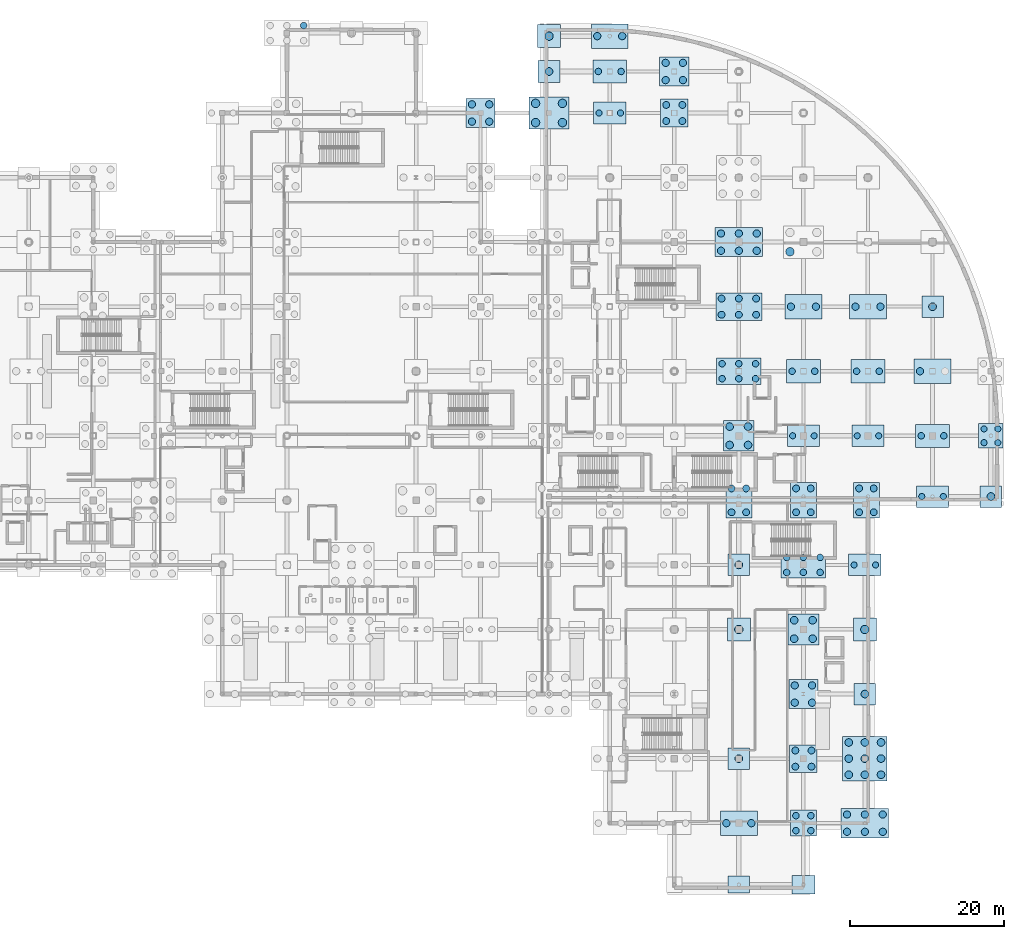
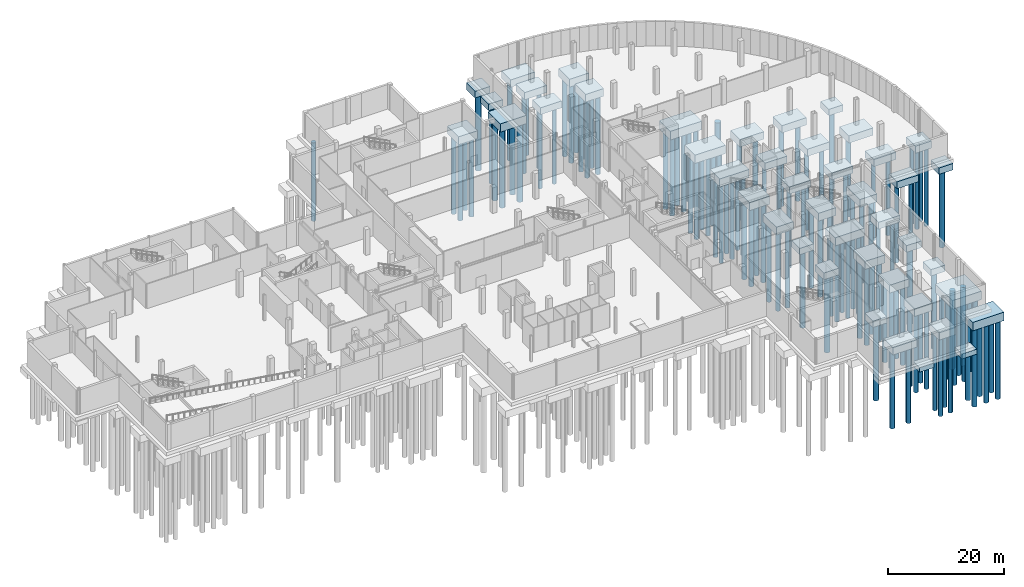
# One storey, part 4 of 49: 129 piles, 44 footings.
"""IFC4 building model written with IfcOpenShell, lengths in metres."""

from ifc_helpers import new_model, si_unit, direction, frame, origin, origin_2d, place, context, subcontext, project, spatial, rectangle, circle, extrude, material, material_profile, profile_set, type_object, element, save


model = new_model("IFC4")

# Units and contexts
model_context = context("Model", 3, precision=1e-05, world=origin(), true_north=direction((0.0, 1.0)))
body_context = subcontext(model_context, "Body", "Model", "MODEL_VIEW")
ifc_project = project(units=[si_unit("LENGTHUNIT", "METRE"), si_unit("AREAUNIT", "SQUARE_METRE"), si_unit("VOLUMEUNIT", "CUBIC_METRE"), si_unit("PLANEANGLEUNIT", "RADIAN"), si_unit("MASSUNIT", "GRAM", prefix="KILO"), si_unit("THERMODYNAMICTEMPERATUREUNIT", "KELVIN")], contexts=[model_context])

# Site, building, storey
site_placement = place(None, origin())
site = spatial("IfcSite", under=ifc_project, at=site_placement, CompositionType="ELEMENT")
building_placement = place(site_placement, origin())
building = spatial("IfcBuilding", under=site, at=building_placement, Name="Lustrewick Department Store", CompositionType="ELEMENT")
storey_placement = place(building_placement, frame((0.0, 0.0, -5.39990234375)))
storey = spatial("IfcBuildingStorey", under=building, at=storey_placement, Name="B1", CompositionType="ELEMENT", Elevation=-5.39990234375)

# Piles
ifc_material = material(Name="Concrete C40", Category="concrete")
ifc_material_profile_1 = material_profile(ifc_material, circle(Radius=0.39990234375, at=origin_2d()), Name="PILE D800")
ifc_profile_set_1 = profile_set([ifc_material_profile_1], Name="Concrete C40")
pile_type_1 = type_object("IfcPileType", Name="P01", PredefinedType="BORED", material=ifc_profile_set_1)
for number, where, z_axis, x_axis, name in (
    (1, (149.39990234375, 42.0, -2.050048828125), (0.0, 0.0, -1.0), (1.0, 0.0, 0.0), "Bored Pile P01 0370"),
    (2, (152.199951171875, 42.0, -2.050048828125), (0.0, 0.0, -1.0), (1.0, 0.0, 0.0), "Bored Pile P01 0371"),
    (3, (116.199951171875, 100.800048828125, -2.050048828125), (0.0, 0.0, -1.0), (1.0, 0.0, 0.0), "Bored Pile P01 0392"),
    (4, (119.0, 100.800048828125, -2.050048828125), (0.0, 0.0, -1.0), (1.0, 0.0, 0.0), "Bored Pile P01 0393"),
    (5, (141.39990234375, 58.800048828125, -2.050048828125), (0.0, 0.0, -1.0), (1.0, 0.0, 0.0), "Bored Pile P01 0450"),
    (6, (144.199951171875, 58.800048828125, -2.050048828125), (0.0, 0.0, -1.0), (1.0, 0.0, 0.0), "Bored Pile P01 0451"),
    (7, (149.800048828125, 58.800048828125, -2.050048828125), (0.0, 0.0, -1.0), (1.0, 0.0, 0.0), "Bored Pile P01 0462"),
    (8, (152.60009765625, 58.800048828125, -2.050048828125), (0.0, 0.0, -1.0), (1.0, 0.0, 0.0), "Bored Pile P01 0463"),
    (9, (158.199951171875, 50.89990234375, -2.050048828125), (0.0, 0.0, -1.0), (1.0, 0.0, 0.0), "Bored Pile P01 0470"),
    (10, (161.0, 50.89990234375, -2.050048828125), (0.0, 0.0, -1.0), (1.0, 0.0, 0.0), "Bored Pile P01 0471"),
    (11, (166.300048828125, 57.89990234375, -2.10009765625), (0.0, 0.0, -1.0), (1.0, 0.0, 0.0), "Bored Pile P01 0479"),
    (12, (166.300048828125, 59.699951171875, -2.10009765625), (0.0, 0.0, -1.0), (1.0, 0.0, 0.0), "Bored Pile P01 0480"),
    (13, (168.10009765625, 57.89990234375, -2.10009765625), (0.0, 0.0, -1.0), (1.0, 0.0, 0.0), "Bored Pile P01 0481"),
    (14, (168.10009765625, 59.699951171875, -2.10009765625), (0.0, 0.0, -1.0), (1.0, 0.0, 0.0), "Bored Pile P01 0482"),
):
    element("IfcPile", number, at=place(storey_placement, frame(where, z_axis=z_axis, x_axis=x_axis)), inside=storey, type_object=pile_type_1, Name=name, PredefinedType="BORED", context=body_context, shape_type="SweptSolid", body=[
        extrude(circle(Radius=0.39990234375, at=origin_2d()), origin(), (0.0, 0.0, 1.0), 16.5),
    ])
ifc_material_profile_2 = material_profile(ifc_material, circle(Radius=0.425048828125, at=origin_2d()), Name="PILE D850")
ifc_profile_set_2 = profile_set([ifc_material_profile_2], Name="Concrete C40")
pile_type_2 = type_object("IfcPileType", Name="P02", PredefinedType="BORED", material=ifc_profile_set_2)
for number, where, z_axis, x_axis, name in (
    (15, (77.77490234375, 112.175048828125, -2.300048828125), (0.0, 0.0, -1.0), (1.0, 0.0, 0.0), "Bored Pile P02 0192"),
    (16, (141.824951171875, 7.425048828125, -2.150146484375), (0.0, 0.0, -1.0), (1.0, 0.0, 0.0), "Bored Pile P02 0327"),
    (17, (141.824951171875, 9.375, -2.150146484375), (0.0, 0.0, -1.0), (1.0, 0.0, 0.0), "Bored Pile P02 0328"),
    (18, (143.77490234375, 7.425048828125, -2.150146484375), (0.0, 0.0, -1.0), (1.0, 0.0, 0.0), "Bored Pile P02 0329"),
    (19, (143.77490234375, 9.375, -2.150146484375), (0.0, 0.0, -1.0), (1.0, 0.0, 0.0), "Bored Pile P02 0330"),
    (20, (140.625, 41.02490234375, -2.300048828125), (0.0, 0.0, -1.0), (1.0, 0.0, 0.0), "Bored Pile P02 0343"),
    (21, (140.625, 42.97509765625, -2.300048828125), (0.0, 0.0, -1.0), (1.0, 0.0, 0.0), "Bored Pile P02 0344"),
    (22, (142.800048828125, 41.02490234375, -2.300048828125), (0.0, 0.0, -1.0), (1.0, 0.0, 0.0), "Bored Pile P02 0345"),
    (23, (142.800048828125, 42.97509765625, -2.300048828125), (0.0, 0.0, -1.0), (1.0, 0.0, 0.0), "Bored Pile P02 0346"),
    (24, (144.97509765625, 41.02490234375, -2.300048828125), (0.0, 0.0, -1.0), (1.0, 0.0, 0.0), "Bored Pile P02 0347"),
    (25, (144.97509765625, 42.97509765625, -2.300048828125), (0.0, 0.0, -1.0), (1.0, 0.0, 0.0), "Bored Pile P02 0348"),
    (26, (116.125, 106.199951171875, -2.10009765625), (0.0, 0.0, -1.0), (1.0, 0.0, 0.0), "Bored Pile P02 0394"),
    (27, (119.074951171875, 106.199951171875, -2.10009765625), (0.0, 0.0, -1.0), (1.0, 0.0, 0.0), "Bored Pile P02 0395"),
    (28, (132.22509765625, 66.22509765625, -2.300048828125), (0.0, 0.0, -1.0), (1.0, 0.0, 0.0), "Bored Pile P02 0421"),
    (29, (132.22509765625, 68.175048828125, -2.300048828125), (0.0, 0.0, -1.0), (1.0, 0.0, 0.0), "Bored Pile P02 0422"),
    (30, (134.39990234375, 66.22509765625, -2.300048828125), (0.0, 0.0, -1.0), (1.0, 0.0, 0.0), "Bored Pile P02 0423"),
    (31, (134.39990234375, 68.175048828125, -2.300048828125), (0.0, 0.0, -1.0), (1.0, 0.0, 0.0), "Bored Pile P02 0424"),
    (32, (136.574951171875, 66.22509765625, -2.300048828125), (0.0, 0.0, -1.0), (1.0, 0.0, 0.0), "Bored Pile P02 0425"),
    (33, (136.574951171875, 68.175048828125, -2.300048828125), (0.0, 0.0, -1.0), (1.0, 0.0, 0.0), "Bored Pile P02 0426"),
    (34, (141.324951171875, 67.199951171875, -2.10009765625), (0.0, 0.0, -1.0), (1.0, 0.0, 0.0), "Bored Pile P02 0452"),
    (35, (144.27490234375, 67.199951171875, -2.10009765625), (0.0, 0.0, -1.0), (1.0, 0.0, 0.0), "Bored Pile P02 0453"),
    (36, (149.72509765625, 67.199951171875, -2.10009765625), (0.0, 0.0, -1.0), (1.0, 0.0, 0.0), "Bored Pile P02 0464"),
    (37, (152.675048828125, 67.199951171875, -2.10009765625), (0.0, 0.0, -1.0), (1.0, 0.0, 0.0), "Bored Pile P02 0465"),
    (38, (158.125, 58.800048828125, -2.10009765625), (0.0, 0.0, -1.0), (1.0, 0.0, 0.0), "Bored Pile P02 0472"),
    (39, (161.074951171875, 58.800048828125, -2.10009765625), (0.0, 0.0, -1.0), (1.0, 0.0, 0.0), "Bored Pile P02 0473"),
):
    element("IfcPile", number, at=place(storey_placement, frame(where, z_axis=z_axis, x_axis=x_axis)), inside=storey, type_object=pile_type_2, Name=name, PredefinedType="BORED", context=body_context, shape_type="SweptSolid", body=[
        extrude(circle(Radius=0.425048828125, at=origin_2d()), origin(), (0.0, 0.0, 1.0), 16.5),
    ])
ifc_material_profile_3 = material_profile(ifc_material, circle(Radius=0.449951171875, at=origin_2d()), Name="PILE D900")
ifc_profile_set_3 = profile_set([ifc_material_profile_3], Name="Concrete C40")
pile_type_3 = type_object("IfcPileType", Name="P03", PredefinedType="BORED", material=ifc_profile_set_3)
for number, where, z_axis, x_axis, name in (
    (40, (133.449951171875, 48.85009765625, -2.25), (0.0, 0.0, -1.0), (1.0, 0.0, 0.0), "Bored Pile P03 0323"),
    (41, (133.449951171875, 51.949951171875, -2.25), (0.0, 0.0, -1.0), (1.0, 0.0, 0.0), "Bored Pile P03 0324"),
    (42, (135.35009765625, 48.85009765625, -2.25), (0.0, 0.0, -1.0), (1.0, 0.0, 0.0), "Bored Pile P03 0325"),
    (43, (135.35009765625, 51.949951171875, -2.25), (0.0, 0.0, -1.0), (1.0, 0.0, 0.0), "Bored Pile P03 0326"),
    (44, (141.75, 15.75, -2.2001953125), (0.0, 0.0, -1.0), (1.0, 0.0, 0.0), "Bored Pile P03 0331"),
    (45, (141.75, 17.85009765625, -2.2001953125), (0.0, 0.0, -1.0), (1.0, 0.0, 0.0), "Bored Pile P03 0332"),
    (46, (143.85009765625, 15.75, -2.2001953125), (0.0, 0.0, -1.0), (1.0, 0.0, 0.0), "Bored Pile P03 0333"),
    (47, (143.85009765625, 17.85009765625, -2.2001953125), (0.0, 0.0, -1.0), (1.0, 0.0, 0.0), "Bored Pile P03 0334"),
    (48, (141.85009765625, 48.85009765625, -2.25), (0.0, 0.0, -1.0), (1.0, 0.0, 0.0), "Bored Pile P03 0349"),
    (49, (141.85009765625, 51.949951171875, -2.25), (0.0, 0.0, -1.0), (1.0, 0.0, 0.0), "Bored Pile P03 0350"),
    (50, (143.75, 48.85009765625, -2.25), (0.0, 0.0, -1.0), (1.0, 0.0, 0.0), "Bored Pile P03 0351"),
    (51, (143.75, 51.949951171875, -2.25), (0.0, 0.0, -1.0), (1.0, 0.0, 0.0), "Bored Pile P03 0352"),
    (52, (150.050048828125, 48.85009765625, -2.25), (0.0, 0.0, -1.0), (1.0, 0.0, 0.0), "Bored Pile P03 0372"),
    (53, (150.050048828125, 51.949951171875, -2.25), (0.0, 0.0, -1.0), (1.0, 0.0, 0.0), "Bored Pile P03 0373"),
    (54, (151.949951171875, 48.85009765625, -2.25), (0.0, 0.0, -1.0), (1.0, 0.0, 0.0), "Bored Pile P03 0374"),
    (55, (151.949951171875, 51.949951171875, -2.25), (0.0, 0.0, -1.0), (1.0, 0.0, 0.0), "Bored Pile P03 0375"),
    (56, (124.949951171875, 99.75, -2.2001953125), (0.0, 0.0, -1.0), (1.0, 0.0, 0.0), "Bored Pile P03 0409"),
    (57, (124.949951171875, 101.85009765625, -2.2001953125), (0.0, 0.0, -1.0), (1.0, 0.0, 0.0), "Bored Pile P03 0410"),
    (58, (127.050048828125, 99.75, -2.2001953125), (0.0, 0.0, -1.0), (1.0, 0.0, 0.0), "Bored Pile P03 0411"),
    (59, (127.050048828125, 101.85009765625, -2.2001953125), (0.0, 0.0, -1.0), (1.0, 0.0, 0.0), "Bored Pile P03 0412"),
    (60, (132.14990234375, 74.550048828125, -2.35009765625), (0.0, 0.0, -1.0), (1.0, 0.0, 0.0), "Bored Pile P03 0427"),
    (61, (132.14990234375, 76.64990234375, -2.35009765625), (0.0, 0.0, -1.0), (1.0, 0.0, 0.0), "Bored Pile P03 0428"),
    (62, (134.39990234375, 74.550048828125, -2.35009765625), (0.0, 0.0, -1.0), (1.0, 0.0, 0.0), "Bored Pile P03 0429"),
    (63, (134.39990234375, 76.64990234375, -2.35009765625), (0.0, 0.0, -1.0), (1.0, 0.0, 0.0), "Bored Pile P03 0430"),
    (64, (136.64990234375, 74.550048828125, -2.35009765625), (0.0, 0.0, -1.0), (1.0, 0.0, 0.0), "Bored Pile P03 0431"),
    (65, (136.64990234375, 76.64990234375, -2.35009765625), (0.0, 0.0, -1.0), (1.0, 0.0, 0.0), "Bored Pile P03 0432"),
):
    element("IfcPile", number, at=place(storey_placement, frame(where, z_axis=z_axis, x_axis=x_axis)), inside=storey, type_object=pile_type_3, Name=name, PredefinedType="BORED", context=body_context, shape_type="SweptSolid", body=[
        extrude(circle(Radius=0.449951171875, at=origin_2d()), origin(), (0.0, 0.0, 1.0), 16.5),
    ])
ifc_material_profile_4 = material_profile(ifc_material, circle(Radius=0.47509765625, at=origin_2d()), Name="PILE D950")
ifc_profile_set_4 = profile_set([ifc_material_profile_4], Name="Concrete C40")
pile_type_4 = type_object("IfcPileType", Name="P04", PredefinedType="BORED", material=ifc_profile_set_4)
for number, where, z_axis, x_axis, name in (
    (66, (99.675048828125, 99.675048828125, -2.25), (0.0, 0.0, -1.0), (1.0, 0.0, 0.0), "Bored Pile P04 0257"),
    (67, (99.675048828125, 101.925048828125, -2.25), (0.0, 0.0, -1.0), (1.0, 0.0, 0.0), "Bored Pile P04 0258"),
    (68, (101.925048828125, 99.675048828125, -2.25), (0.0, 0.0, -1.0), (1.0, 0.0, 0.0), "Bored Pile P04 0259"),
    (69, (101.925048828125, 101.925048828125, -2.25), (0.0, 0.0, -1.0), (1.0, 0.0, 0.0), "Bored Pile P04 0260"),
    (70, (132.77490234375, 8.39990234375, -2.150146484375), (0.0, 0.0, -1.0), (1.0, 0.0, 0.0), "Bored Pile P04 0318"),
    (71, (136.02490234375, 8.39990234375, -2.150146484375), (0.0, 0.0, -1.0), (1.0, 0.0, 0.0), "Bored Pile P04 0319"),
    (72, (141.675048828125, 24.074951171875, -2.25), (0.0, 0.0, -1.0), (1.0, 0.0, 0.0), "Bored Pile P04 0335"),
    (73, (141.675048828125, 26.324951171875, -2.25), (0.0, 0.0, -1.0), (1.0, 0.0, 0.0), "Bored Pile P04 0336"),
    (74, (143.925048828125, 24.074951171875, -2.25), (0.0, 0.0, -1.0), (1.0, 0.0, 0.0), "Bored Pile P04 0337"),
    (75, (143.925048828125, 26.324951171875, -2.25), (0.0, 0.0, -1.0), (1.0, 0.0, 0.0), "Bored Pile P04 0338"),
    (76, (148.47509765625, 7.27490234375, -2.400146484375), (0.0, 0.0, -1.0), (1.0, 0.0, 0.0), "Bored Pile P04 0353"),
    (77, (148.47509765625, 9.52490234375, -2.400146484375), (0.0, 0.0, -1.0), (1.0, 0.0, 0.0), "Bored Pile P04 0354"),
    (78, (150.800048828125, 7.27490234375, -2.400146484375), (0.0, 0.0, -1.0), (1.0, 0.0, 0.0), "Bored Pile P04 0355"),
    (79, (150.800048828125, 9.52490234375, -2.400146484375), (0.0, 0.0, -1.0), (1.0, 0.0, 0.0), "Bored Pile P04 0356"),
    (80, (153.125, 7.27490234375, -2.400146484375), (0.0, 0.0, -1.0), (1.0, 0.0, 0.0), "Bored Pile P04 0357"),
    (81, (153.125, 9.52490234375, -2.400146484375), (0.0, 0.0, -1.0), (1.0, 0.0, 0.0), "Bored Pile P04 0358"),
    (82, (115.97509765625, 110.800048828125, -2.150146484375), (0.0, 0.0, -1.0), (1.0, 0.0, 0.0), "Bored Pile P04 0396"),
    (83, (119.22509765625, 110.800048828125, -2.150146484375), (0.0, 0.0, -1.0), (1.0, 0.0, 0.0), "Bored Pile P04 0397"),
    (84, (124.875, 105.074951171875, -2.25), (0.0, 0.0, -1.0), (1.0, 0.0, 0.0), "Bored Pile P04 0413"),
    (85, (124.875, 107.324951171875, -2.25), (0.0, 0.0, -1.0), (1.0, 0.0, 0.0), "Bored Pile P04 0414"),
    (86, (127.125, 105.074951171875, -2.25), (0.0, 0.0, -1.0), (1.0, 0.0, 0.0), "Bored Pile P04 0415"),
    (87, (127.125, 107.324951171875, -2.25), (0.0, 0.0, -1.0), (1.0, 0.0, 0.0), "Bored Pile P04 0416"),
    (88, (132.074951171875, 82.875, -2.400146484375), (0.0, 0.0, -1.0), (1.0, 0.0, 0.0), "Bored Pile P04 0433"),
    (89, (132.074951171875, 85.125, -2.400146484375), (0.0, 0.0, -1.0), (1.0, 0.0, 0.0), "Bored Pile P04 0434"),
    (90, (134.39990234375, 82.875, -2.400146484375), (0.0, 0.0, -1.0), (1.0, 0.0, 0.0), "Bored Pile P04 0435"),
    (91, (134.39990234375, 85.125, -2.400146484375), (0.0, 0.0, -1.0), (1.0, 0.0, 0.0), "Bored Pile P04 0436"),
    (92, (136.72509765625, 82.875, -2.400146484375), (0.0, 0.0, -1.0), (1.0, 0.0, 0.0), "Bored Pile P04 0437"),
    (93, (136.72509765625, 85.125, -2.400146484375), (0.0, 0.0, -1.0), (1.0, 0.0, 0.0), "Bored Pile P04 0438"),
    (94, (141.175048828125, 75.60009765625, -2.150146484375), (0.0, 0.0, -1.0), (1.0, 0.0, 0.0), "Bored Pile P04 0454"),
    (95, (144.425048828125, 75.60009765625, -2.150146484375), (0.0, 0.0, -1.0), (1.0, 0.0, 0.0), "Bored Pile P04 0455"),
    (96, (149.574951171875, 75.60009765625, -2.150146484375), (0.0, 0.0, -1.0), (1.0, 0.0, 0.0), "Bored Pile P04 0466"),
    (97, (152.824951171875, 75.60009765625, -2.150146484375), (0.0, 0.0, -1.0), (1.0, 0.0, 0.0), "Bored Pile P04 0467"),
    (98, (157.97509765625, 67.199951171875, -2.150146484375), (0.0, 0.0, -1.0), (1.0, 0.0, 0.0), "Bored Pile P04 0474"),
):
    element("IfcPile", number, at=place(storey_placement, frame(where, z_axis=z_axis, x_axis=x_axis)), inside=storey, type_object=pile_type_4, Name=name, PredefinedType="BORED", context=body_context, shape_type="SweptSolid", body=[
        extrude(circle(Radius=0.47509765625, at=origin_2d()), origin(), (0.0, 0.0, 1.0), 16.5),
    ])
ifc_material_profile_5 = material_profile(ifc_material, circle(Radius=0.5, at=origin_2d()), Name="PILE D1000")
ifc_profile_set_5 = profile_set([ifc_material_profile_5], Name="Concrete C40")
pile_type_5 = type_object("IfcPileType", Name="P05", PredefinedType="BORED", material=ifc_profile_set_5)
for number, where, z_axis, x_axis, name in (
    (99, (134.39990234375, 16.800048828125, -1.9501953125), (0.0, 0.0, -1.0), (1.0, 0.0, 0.0), "Bored Pile P05 0320"),
    (100, (134.39990234375, 42.0, -1.9501953125), (0.0, 0.0, -1.0), (1.0, 0.0, 0.0), "Bored Pile P05 0322"),
    (101, (141.60009765625, 32.39990234375, -2.300048828125), (0.0, 0.0, -1.0), (1.0, 0.0, 0.0), "Bored Pile P05 0339"),
    (102, (141.60009765625, 34.800048828125, -2.300048828125), (0.0, 0.0, -1.0), (1.0, 0.0, 0.0), "Bored Pile P05 0340"),
    (103, (144.0, 32.39990234375, -2.300048828125), (0.0, 0.0, -1.0), (1.0, 0.0, 0.0), "Bored Pile P05 0341"),
    (104, (144.0, 34.800048828125, -2.300048828125), (0.0, 0.0, -1.0), (1.0, 0.0, 0.0), "Bored Pile P05 0342"),
    (105, (148.699951171875, 14.699951171875, -2.400146484375), (0.0, 0.0, -1.0), (1.0, 0.0, 0.0), "Bored Pile P05 0359"),
    (106, (148.699951171875, 16.800048828125, -2.400146484375), (0.0, 0.0, -1.0), (1.0, 0.0, 0.0), "Bored Pile P05 0360"),
    (107, (148.699951171875, 18.89990234375, -2.400146484375), (0.0, 0.0, -1.0), (1.0, 0.0, 0.0), "Bored Pile P05 0361"),
    (108, (150.800048828125, 14.699951171875, -2.400146484375), (0.0, 0.0, -1.0), (1.0, 0.0, 0.0), "Bored Pile P05 0362"),
    (109, (150.800048828125, 16.800048828125, -2.400146484375), (0.0, 0.0, -1.0), (1.0, 0.0, 0.0), "Bored Pile P05 0363"),
    (110, (150.800048828125, 18.89990234375, -2.400146484375), (0.0, 0.0, -1.0), (1.0, 0.0, 0.0), "Bored Pile P05 0364"),
    (111, (152.89990234375, 14.699951171875, -2.400146484375), (0.0, 0.0, -1.0), (1.0, 0.0, 0.0), "Bored Pile P05 0365"),
    (112, (152.89990234375, 16.800048828125, -2.400146484375), (0.0, 0.0, -1.0), (1.0, 0.0, 0.0), "Bored Pile P05 0366"),
    (113, (152.89990234375, 18.89990234375, -2.400146484375), (0.0, 0.0, -1.0), (1.0, 0.0, 0.0), "Bored Pile P05 0367"),
    (114, (150.800048828125, 25.199951171875, -1.9501953125), (0.0, 0.0, -1.0), (1.0, 0.0, 0.0), "Bored Pile P05 0368"),
    (115, (109.699951171875, 106.199951171875, -1.9501953125), (0.0, 0.0, -1.0), (1.0, 0.0, 0.0), "Bored Pile P05 0382"),
    (116, (133.199951171875, 57.60009765625, -2.300048828125), (0.0, 0.0, -1.0), (1.0, 0.0, 0.0), "Bored Pile P05 0417"),
    (117, (133.199951171875, 60.0, -2.300048828125), (0.0, 0.0, -1.0), (1.0, 0.0, 0.0), "Bored Pile P05 0418"),
    (118, (135.60009765625, 57.60009765625, -2.300048828125), (0.0, 0.0, -1.0), (1.0, 0.0, 0.0), "Bored Pile P05 0419"),
    (119, (135.60009765625, 60.0, -2.300048828125), (0.0, 0.0, -1.0), (1.0, 0.0, 0.0), "Bored Pile P05 0420"),
    (120, (159.60009765625, 75.60009765625, -1.9501953125), (0.0, 0.0, -1.0), (1.0, 0.0, 0.0), "Bored Pile P05 0476"),
    (121, (167.199951171875, 50.89990234375, -1.9501953125), (0.0, 0.0, -1.0), (1.0, 0.0, 0.0), "Bored Pile P05 0478"),
):
    element("IfcPile", number, at=place(storey_placement, frame(where, z_axis=z_axis, x_axis=x_axis)), inside=storey, type_object=pile_type_5, Name=name, PredefinedType="BORED", context=body_context, shape_type="SweptSolid", body=[
        extrude(circle(Radius=0.5, at=origin_2d()), origin(), (0.0, 0.0, 1.0), 16.5),
    ])
ifc_material_profile_6 = material_profile(ifc_material, circle(Radius=0.550048828125, at=origin_2d()), Name="PILE D1100")
ifc_profile_set_6 = profile_set([ifc_material_profile_6], Name="Concrete C40")
pile_type_6 = type_object("IfcPileType", Name="P06", PredefinedType="BORED", material=ifc_profile_set_6)
for number, where, z_axis, x_axis, name in (
    (122, (134.39990234375, 33.60009765625, -2.0), (0.0, 0.0, -1.0), (1.0, 0.0, 0.0), "Bored Pile P06 0321"),
    (123, (150.800048828125, 33.60009765625, -2.0), (0.0, 0.0, -1.0), (1.0, 0.0, 0.0), "Bored Pile P06 0369"),
    (124, (107.949951171875, 99.550048828125, -2.35009765625), (0.0, 0.0, -1.0), (1.0, 0.0, 0.0), "Bored Pile P06 0378"),
    (125, (107.949951171875, 102.050048828125, -2.35009765625), (0.0, 0.0, -1.0), (1.0, 0.0, 0.0), "Bored Pile P06 0379"),
    (126, (111.449951171875, 99.550048828125, -2.35009765625), (0.0, 0.0, -1.0), (1.0, 0.0, 0.0), "Bored Pile P06 0380"),
    (127, (111.449951171875, 102.050048828125, -2.35009765625), (0.0, 0.0, -1.0), (1.0, 0.0, 0.0), "Bored Pile P06 0381"),
    (128, (109.699951171875, 110.800048828125, -2.0), (0.0, 0.0, -1.0), (1.0, 0.0, 0.0), "Bored Pile P06 0383"),
    (129, (141.050048828125, 82.75, -2.35009765625), (0.0, 0.0, -1.0), (1.0, 0.0, 0.0), "Bored Pile P06 0456"),
):
    element("IfcPile", number, at=place(storey_placement, frame(where, z_axis=z_axis, x_axis=x_axis)), inside=storey, type_object=pile_type_6, Name=name, PredefinedType="BORED", context=body_context, shape_type="SweptSolid", body=[
        extrude(circle(Radius=0.550048828125, at=origin_2d()), origin(), (0.0, 0.0, 1.0), 16.5),
    ])

# Footings
footing_type_1 = type_object("IfcFootingType", Name="PC01", PredefinedType="PILE_CAP", material=ifc_material)
footing_1_placement = place(storey_placement, frame((167.199951171875, 58.800048828125, -2.2001953125), z_axis=(0.0, 0.0, 1.0), x_axis=(1.0, 0.0, 0.0)))
element("IfcFooting", 130, at=footing_1_placement, inside=storey, type_object=footing_type_1, Name="Pile Cap PC01 169", PredefinedType="PILE_CAP", context=body_context, shape_type="SweptSolid", body=[
    extrude(rectangle(XDim=3.199951171875, YDim=3.199951171875, at=origin_2d()), origin(), (0.0, 0.0, 1.0), 1.5),
])
footing_type_2 = type_object("IfcFootingType", Name="PC02", PredefinedType="PILE_CAP", material=ifc_material)
footing_2_placement = place(storey_placement, frame((142.800048828125, 8.39990234375, -2.25), z_axis=(0.0, 0.0, 1.0), x_axis=(1.0, 0.0, 0.0)))
element("IfcFooting", 131, at=footing_2_placement, inside=storey, type_object=footing_type_2, Name="Pile Cap PC02 114", PredefinedType="PILE_CAP", context=body_context, shape_type="SweptSolid", body=[
    extrude(rectangle(XDim=3.39990234375, YDim=3.39990234375, at=origin_2d()), origin(), (0.0, 0.0, 1.0), 1.550048828125),
])
footing_type_3 = type_object("IfcFootingType", Name="PC03", PredefinedType="PILE_CAP", material=ifc_material)
for number, where, z_axis, x_axis, name in (
    (132, (142.800048828125, 16.800048828125, -2.300048828125), (0.0, 0.0, 1.0), (1.0, 0.0, 0.0), "Pile Cap PC03 115"),
    (133, (126.0, 100.800048828125, -2.300048828125), (0.0, 0.0, 1.0), (1.0, 0.0, 0.0), "Pile Cap PC03 143"),
):
    element("IfcFooting", number, at=place(storey_placement, frame(where, z_axis=z_axis, x_axis=x_axis)), inside=storey, type_object=footing_type_3, Name=name, PredefinedType="PILE_CAP", context=body_context, shape_type="SweptSolid", body=[
        extrude(rectangle(XDim=3.60009765625, YDim=3.60009765625, at=origin_2d()), origin(), (0.0, 0.0, 1.0), 1.60009765625),
    ])
footing_type_4 = type_object("IfcFootingType", Name="PC04", PredefinedType="PILE_CAP", material=ifc_material)
for number, where, z_axis, x_axis, name in (
    (134, (100.800048828125, 100.800048828125, -2.35009765625), (0.0, 0.0, 1.0), (1.0, 0.0, 0.0), "Pile Cap PC04 088"),
    (135, (142.800048828125, 25.199951171875, -2.35009765625), (0.0, 0.0, 1.0), (1.0, 0.0, 0.0), "Pile Cap PC04 116"),
    (136, (126.0, 106.199951171875, -2.35009765625), (0.0, 0.0, 1.0), (1.0, 0.0, 0.0), "Pile Cap PC04 144"),
):
    element("IfcFooting", number, at=place(storey_placement, frame(where, z_axis=z_axis, x_axis=x_axis)), inside=storey, type_object=footing_type_4, Name=name, PredefinedType="PILE_CAP", context=body_context, shape_type="SweptSolid", body=[
        extrude(rectangle(XDim=3.800048828125, YDim=3.800048828125, at=origin_2d()), origin(), (0.0, 0.0, 1.0), 1.64990234375),
    ])
footing_type_5 = type_object("IfcFootingType", Name="PC05", PredefinedType="PILE_CAP", material=ifc_material)
for number, where, z_axis, x_axis, name in (
    (137, (142.800048828125, 33.60009765625, -2.39990234375), (0.0, 0.0, 1.0), (1.0, 0.0, 0.0), "Pile Cap PC05 117"),
    (138, (134.39990234375, 58.800048828125, -2.39990234375), (0.0, 0.0, 1.0), (1.0, 0.0, 0.0), "Pile Cap PC05 145"),
):
    element("IfcFooting", number, at=place(storey_placement, frame(where, z_axis=z_axis, x_axis=x_axis)), inside=storey, type_object=footing_type_5, Name=name, PredefinedType="PILE_CAP", context=body_context, shape_type="SweptSolid", body=[
        extrude(rectangle(XDim=4.0, YDim=4.0, at=origin_2d()), origin(), (0.0, 0.0, 1.0), 1.699951171875),
    ])
footing_type_6 = type_object("IfcFootingType", Name="PC08", PredefinedType="PILE_CAP", material=ifc_material)
for number, where, z_axis, x_axis, name in (
    (139, (134.39990234375, 50.39990234375, -2.35009765625), (0.0, 0.0, 1.0), (1.0, 0.0, 0.0), "Pile Cap PC08 113"),
    (140, (142.800048828125, 50.39990234375, -2.35009765625), (0.0, 0.0, 1.0), (1.0, 0.0, 0.0), "Pile Cap PC08 119"),
    (141, (151.0, 50.39990234375, -2.35009765625), (0.0, 0.0, 1.0), (1.0, 0.0, 0.0), "Pile Cap PC08 125"),
):
    element("IfcFooting", number, at=place(storey_placement, frame(where, z_axis=z_axis, x_axis=x_axis)), inside=storey, type_object=footing_type_6, Name=name, PredefinedType="PILE_CAP", context=body_context, shape_type="SweptSolid", body=[
        extrude(rectangle(XDim=3.39990234375, YDim=4.60009765625, at=origin_2d()), origin(), (0.0, 0.0, 1.0), 1.64990234375),
    ])
footing_type_7 = type_object("IfcFootingType", Name="PC09", PredefinedType="PILE_CAP", material=ifc_material)
for number, where, z_axis, x_axis, name in (
    (142, (142.800048828125, 42.0, -2.39990234375), (0.0, 0.0, 1.0), (1.0, 0.0, 0.0), "Pile Cap PC09 118"),
    (143, (134.39990234375, 67.199951171875, -2.39990234375), (0.0, 0.0, 1.0), (1.0, 0.0, 0.0), "Pile Cap PC09 146"),
):
    element("IfcFooting", number, at=place(storey_placement, frame(where, z_axis=z_axis, x_axis=x_axis)), inside=storey, type_object=footing_type_7, Name=name, PredefinedType="PILE_CAP", context=body_context, shape_type="SweptSolid", body=[
        extrude(rectangle(XDim=5.800048828125, YDim=3.39990234375, at=origin_2d()), origin(), (0.0, 0.0, 1.0), 1.699951171875),
    ])
footing_type_8 = type_object("IfcFootingType", Name="PC10", PredefinedType="PILE_CAP", material=ifc_material)
footing_3_placement = place(storey_placement, frame((134.39990234375, 75.60009765625, -2.4501953125), z_axis=(0.0, 0.0, 1.0), x_axis=(1.0, 0.0, 0.0)))
element("IfcFooting", 144, at=footing_3_placement, inside=storey, type_object=footing_type_8, Name="Pile Cap PC10 147", PredefinedType="PILE_CAP", context=body_context, shape_type="SweptSolid", body=[
    extrude(rectangle(XDim=6.0, YDim=3.60009765625, at=origin_2d()), origin(), (0.0, 0.0, 1.0), 1.75),
])
footing_type_9 = type_object("IfcFootingType", Name="PC11", PredefinedType="PILE_CAP", material=ifc_material)
for number, where, z_axis, x_axis, name in (
    (145, (150.800048828125, 8.39990234375, -2.5), (0.0, 0.0, 1.0), (1.0, 0.0, 0.0), "Pile Cap PC11 120"),
    (146, (134.39990234375, 84.0, -2.5), (0.0, 0.0, 1.0), (1.0, 0.0, 0.0), "Pile Cap PC11 148"),
):
    element("IfcFooting", number, at=place(storey_placement, frame(where, z_axis=z_axis, x_axis=x_axis)), inside=storey, type_object=footing_type_9, Name=name, PredefinedType="PILE_CAP", context=body_context, shape_type="SweptSolid", body=[
        extrude(rectangle(XDim=6.199951171875, YDim=3.800048828125, at=origin_2d()), origin(), (0.0, 0.0, 1.0), 1.800048828125),
    ])
footing_type_10 = type_object("IfcFootingType", Name="PC12", PredefinedType="PILE_CAP", material=ifc_material)
footing_4_placement = place(storey_placement, frame((150.800048828125, 16.800048828125, -2.5), z_axis=(0.0, 0.0, 1.0), x_axis=(1.0, 0.0, 0.0)))
element("IfcFooting", 147, at=footing_4_placement, inside=storey, type_object=footing_type_10, Name="Pile Cap PC12 121", PredefinedType="PILE_CAP", context=body_context, shape_type="SweptSolid", body=[
    extrude(rectangle(XDim=5.800048828125, YDim=5.800048828125, at=origin_2d()), origin(), (0.0, 0.0, 1.0), 1.800048828125),
])
footing_type_11 = type_object("IfcFootingType", Name="PC13", PredefinedType="PILE_CAP", material=ifc_material)
for number, where, z_axis, x_axis, name in (
    (148, (134.39990234375, 16.800048828125, -2.050048828125), (0.0, 0.0, 1.0), (1.0, 0.0, 0.0), "Pile Cap PC13 110"),
    (149, (134.39990234375, 42.0, -2.050048828125), (0.0, 0.0, 1.0), (1.0, 0.0, 0.0), "Pile Cap PC13 112"),
    (150, (150.800048828125, 25.199951171875, -2.050048828125), (0.0, 0.0, 1.0), (1.0, 0.0, 0.0), "Pile Cap PC13 122"),
    (151, (109.699951171875, 106.199951171875, -2.050048828125), (0.0, 0.0, 1.0), (1.0, 0.0, 0.0), "Pile Cap PC13 128"),
    (152, (159.60009765625, 75.60009765625, -2.050048828125), (0.0, 0.0, 1.0), (1.0, 0.0, 0.0), "Pile Cap PC13 166"),
    (153, (167.199951171875, 50.89990234375, -2.050048828125), (0.0, 0.0, 1.0), (1.0, 0.0, 0.0), "Pile Cap PC13 168"),
):
    element("IfcFooting", number, at=place(storey_placement, frame(where, z_axis=z_axis, x_axis=x_axis)), inside=storey, type_object=footing_type_11, Name=name, PredefinedType="PILE_CAP", context=body_context, shape_type="SweptSolid", body=[
        extrude(rectangle(XDim=2.800048828125, YDim=2.800048828125, at=origin_2d()), origin(), (0.0, 0.0, 1.0), 1.35009765625),
    ])
footing_type_12 = type_object("IfcFootingType", Name="PC14", PredefinedType="PILE_CAP", material=ifc_material)
for number, where, z_axis, x_axis, name in (
    (154, (134.39990234375, 33.60009765625, -2.10009765625), (0.0, 0.0, 1.0), (1.0, 0.0, 0.0), "Pile Cap PC14 111"),
    (155, (150.800048828125, 33.60009765625, -2.10009765625), (0.0, 0.0, 1.0), (1.0, 0.0, 0.0), "Pile Cap PC14 123"),
    (156, (109.699951171875, 110.800048828125, -2.10009765625), (0.0, 0.0, 1.0), (1.0, 0.0, 0.0), "Pile Cap PC14 129"),
):
    element("IfcFooting", number, at=place(storey_placement, frame(where, z_axis=z_axis, x_axis=x_axis)), inside=storey, type_object=footing_type_12, Name=name, PredefinedType="PILE_CAP", context=body_context, shape_type="SweptSolid", body=[
        extrude(rectangle(XDim=3.0, YDim=3.0, at=origin_2d()), origin(), (0.0, 0.0, 1.0), 1.39990234375),
    ])
footing_type_13 = type_object("IfcFootingType", Name="PC15", PredefinedType="PILE_CAP", material=ifc_material)
for number, where, z_axis, x_axis, name in (
    (157, (150.800048828125, 42.0, -2.14990234375), (0.0, 0.0, 1.0), (1.0, 0.0, 0.0), "Pile Cap PC15 124"),
    (158, (117.60009765625, 100.800048828125, -2.14990234375), (0.0, 0.0, 1.0), (1.0, 0.0, 0.0), "Pile Cap PC15 135"),
    (159, (142.800048828125, 58.800048828125, -2.14990234375), (0.0, 0.0, 1.0), (1.0, 0.0, 0.0), "Pile Cap PC15 152"),
    (160, (151.199951171875, 58.800048828125, -2.14990234375), (0.0, 0.0, 1.0), (1.0, 0.0, 0.0), "Pile Cap PC15 158"),
    (161, (159.60009765625, 50.89990234375, -2.14990234375), (0.0, 0.0, 1.0), (1.0, 0.0, 0.0), "Pile Cap PC15 163"),
):
    element("IfcFooting", number, at=place(storey_placement, frame(where, z_axis=z_axis, x_axis=x_axis)), inside=storey, type_object=footing_type_13, Name=name, PredefinedType="PILE_CAP", context=body_context, shape_type="SweptSolid", body=[
        extrude(rectangle(XDim=4.199951171875, YDim=2.800048828125, at=origin_2d()), origin(), (0.0, 0.0, 1.0), 1.449951171875),
    ])
footing_type_14 = type_object("IfcFootingType", Name="PC16", PredefinedType="PILE_CAP", material=ifc_material)
for number, where, z_axis, x_axis, name in (
    (162, (117.60009765625, 106.199951171875, -2.2001953125), (0.0, 0.0, 1.0), (1.0, 0.0, 0.0), "Pile Cap PC16 136"),
    (163, (142.800048828125, 67.199951171875, -2.2001953125), (0.0, 0.0, 1.0), (1.0, 0.0, 0.0), "Pile Cap PC16 153"),
    (164, (151.199951171875, 67.199951171875, -2.2001953125), (0.0, 0.0, 1.0), (1.0, 0.0, 0.0), "Pile Cap PC16 159"),
    (165, (159.60009765625, 58.800048828125, -2.2001953125), (0.0, 0.0, 1.0), (1.0, 0.0, 0.0), "Pile Cap PC16 164"),
):
    element("IfcFooting", number, at=place(storey_placement, frame(where, z_axis=z_axis, x_axis=x_axis)), inside=storey, type_object=footing_type_14, Name=name, PredefinedType="PILE_CAP", context=body_context, shape_type="SweptSolid", body=[
        extrude(rectangle(XDim=4.39990234375, YDim=3.0, at=origin_2d()), origin(), (0.0, 0.0, 1.0), 1.5),
    ])
footing_type_15 = type_object("IfcFootingType", Name="PC17", PredefinedType="PILE_CAP", material=ifc_material)
for number, where, z_axis, x_axis, name in (
    (166, (134.39990234375, 8.39990234375, -2.25), (0.0, 0.0, 1.0), (1.0, 0.0, 0.0), "Pile Cap PC17 109"),
    (167, (117.60009765625, 110.800048828125, -2.25), (0.0, 0.0, 1.0), (1.0, 0.0, 0.0), "Pile Cap PC17 137"),
    (168, (142.800048828125, 75.60009765625, -2.25), (0.0, 0.0, 1.0), (1.0, 0.0, 0.0), "Pile Cap PC17 154"),
    (169, (151.199951171875, 75.60009765625, -2.25), (0.0, 0.0, 1.0), (1.0, 0.0, 0.0), "Pile Cap PC17 160"),
    (170, (159.60009765625, 67.199951171875, -2.25), (0.0, 0.0, 1.0), (1.0, 0.0, 0.0), "Pile Cap PC17 165"),
):
    element("IfcFooting", number, at=place(storey_placement, frame(where, z_axis=z_axis, x_axis=x_axis)), inside=storey, type_object=footing_type_15, Name=name, PredefinedType="PILE_CAP", context=body_context, shape_type="SweptSolid", body=[
        extrude(rectangle(XDim=4.800048828125, YDim=3.199951171875, at=origin_2d()), origin(), (0.0, 0.0, 1.0), 1.550048828125),
    ])
footing_type_16 = type_object("IfcFootingType", Name="PC18", PredefinedType="PILE_CAP", material=ifc_material)
footing_5_placement = place(storey_placement, frame((109.699951171875, 100.800048828125, -2.4501953125), z_axis=(0.0, 0.0, 1.0), x_axis=(1.0, 0.0, 0.0)))
element("IfcFooting", 171, at=footing_5_placement, inside=storey, type_object=footing_type_16, Name="Pile Cap PC18 127", PredefinedType="PILE_CAP", context=body_context, shape_type="SweptSolid", body=[
    extrude(rectangle(XDim=5.199951171875, YDim=4.199951171875, at=origin_2d()), origin(), (0.0, 0.0, 1.0), 1.75),
])
footing_type_17 = type_object("IfcFootingType", Name="PF05", PredefinedType="PAD_FOOTING", material=ifc_material)
footing_6_placement = place(storey_placement, frame((134.39990234375, 0.39990234375, -1.64990234375), z_axis=(0.0, 0.0, 1.0), x_axis=(1.0, 0.0, 0.0)))
element("IfcFooting", 172, at=footing_6_placement, inside=storey, type_object=footing_type_17, Name="Pad Footing PF05 005", PredefinedType="PAD_FOOTING", context=body_context, shape_type="SweptSolid", body=[
    extrude(rectangle(XDim=2.800048828125, YDim=2.199951171875, at=origin_2d()), origin(), (0.0, 0.0, 1.0), 0.949951171875),
])
footing_type_18 = type_object("IfcFootingType", Name="PF06", PredefinedType="PAD_FOOTING", material=ifc_material)
footing_7_placement = place(storey_placement, frame((142.800048828125, 0.39990234375, -1.75), z_axis=(0.0, 0.0, 1.0), x_axis=(1.0, 0.0, 0.0)))
element("IfcFooting", 173, at=footing_7_placement, inside=storey, type_object=footing_type_18, Name="Pad Footing PF06 006", PredefinedType="PAD_FOOTING", context=body_context, shape_type="SweptSolid", body=[
    extrude(rectangle(XDim=3.0, YDim=2.39990234375, at=origin_2d()), origin(), (0.0, 0.0, 1.0), 1.050048828125),
])

save(model, "model.ifc")
